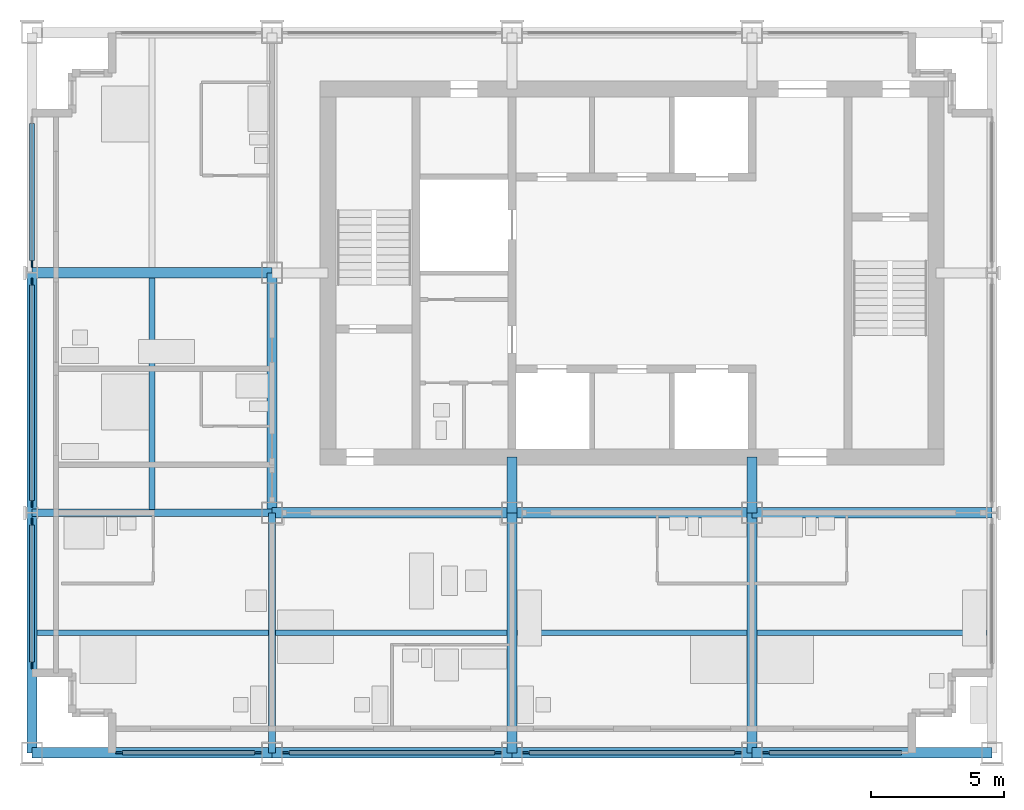
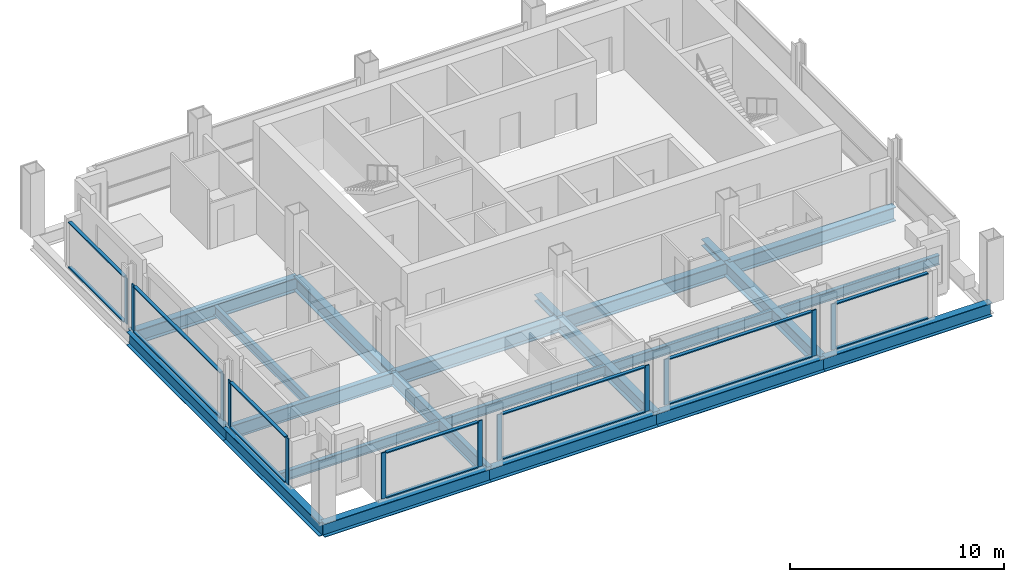
# One storey, part 2 of 11: 28 members, 20 beams, 7 elements without a shape of their own.
"""IFC4 building model written with IfcOpenShell, lengths in metres."""

from ifc_helpers import new_model, si_unit, direction, frame, origin, origin_2d, place, context, subcontext, project, spatial, rectangle, i_section, extrude, material, material_profile, profile_set, type_object, element, aggregate, save


model = new_model("IFC4")

# Units and contexts
model_context = context("Model", 3, precision=1e-05, world=origin(), true_north=direction((0.0, 1.0)))
body_context = subcontext(model_context, "Body", "Model", "MODEL_VIEW")
ifc_project = project(units=[si_unit("LENGTHUNIT", "METRE"), si_unit("AREAUNIT", "SQUARE_METRE"), si_unit("VOLUMEUNIT", "CUBIC_METRE"), si_unit("PLANEANGLEUNIT", "RADIAN"), si_unit("MASSUNIT", "GRAM", prefix="KILO")], contexts=[model_context])

# Site, building, storey
site_placement = place(None, origin())
site = spatial("IfcSite", under=ifc_project, at=site_placement, CompositionType="ELEMENT")
building_placement = place(site_placement, origin())
building = spatial("IfcBuilding", under=site, at=building_placement, Name="Loomwork Tower", CompositionType="ELEMENT")
storey_placement = place(building_placement, frame((0.0, 0.0, 244.60009765625)))
storey = spatial("IfcBuildingStorey", under=building, at=storey_placement, Name="L67", CompositionType="ELEMENT", Elevation=244.60009765625)

# Beams
ifc_material_1 = material(Name="Steel ASTM A992", Category="steel")
ifc_material_profile_1 = material_profile(ifc_material_1, i_section(OverallWidth=0.383544921875, OverallDepth=0.794921875, WebThickness=0.02099609375, FlangeThickness=0.0380859375, at=origin_2d()), Name="W30x235")
ifc_profile_set_1 = profile_set([ifc_material_profile_1], Name="Steel ASTM A992")
beam_type_1 = type_object("IfcBeamType", Name="CORE FLANK GIRDER W30x235", PredefinedType="BEAM", material=ifc_profile_set_1)
for number, where, z_axis, x_axis, name in (
    (1, (9.0, 9.0, -0.59765625), (1.0, 0.0, 0.0), (0.0, 1.0, 0.0), "Core Flank Girder E/3-E/4 L67"),
    (2, (18.0, 9.0, -0.59765625), (1.0, 0.0, 0.0), (0.0, 1.0, 0.0), "Core Flank Girder E/4-E/5 L67"),
    (3, (27.0, 9.0, -0.59765625), (1.0, 0.0, 0.0), (0.0, 1.0, 0.0), "Core Flank Girder E/5-E/6 L67"),
    (4, (0.0, 18.0, -0.59765625), (1.0, 0.0, 0.0), (0.0, 1.0, 0.0), "Core Flank Girder F/2-F/3 L67"),
    (5, (9.0, 9.0, -0.59765625), (0.0, 1.0, 0.0), (-1.0, 0.0, 0.0), "Core Flank Girder E/3-F/3 L67"),
    (6, (18.0, 0.0, -0.59765625), (0.0, 1.0, 0.0), (-1.0, 0.0, 0.0), "Core Flank Girder D/4-E/4 L67"),
    (7, (27.0, 0.0, -0.59765625), (0.0, 1.0, 0.0), (-1.0, 0.0, 0.0), "Core Flank Girder D/5-E/5 L67"),
):
    element("IfcBeam", number, at=place(storey_placement, frame(where, z_axis=z_axis, x_axis=x_axis)), inside=storey, type_object=beam_type_1, Name=name, PredefinedType="BEAM", context=body_context, shape_type="SweptSolid", body=[
        extrude(i_section(OverallWidth=0.383544921875, OverallDepth=0.794921875, WebThickness=0.02099609375, FlangeThickness=0.0380859375, at=origin_2d()), origin(), (0.0, 0.0, 1.0), 9.0),
    ])

# Members
ifc_material_2 = material(Name="Steel ASTM A992", Category="steel")
ifc_material_profile_2 = material_profile(ifc_material_2, i_section(OverallWidth=0.373291015625, OverallDepth=0.373291015625, WebThickness=0.016357421875, FlangeThickness=0.026123046875, at=origin_2d()), Name="W14x132")
ifc_profile_set_2 = profile_set([ifc_material_profile_2], Name="Steel ASTM A992")
member_type_1 = type_object("IfcMemberType", Name="CORE LINK STRUT W14x132", PredefinedType="STRUT", material=ifc_profile_set_2)
for number, where, z_axis, x_axis, name in (
    (8, (18.0, 9.0, -0.38671875), (0.0, 1.0, 0.0), (-1.0, 0.0, 0.0), "Core link strut E/4-18.000,11.100 L67"),
    (9, (27.0, 9.0, -0.38671875), (0.0, 1.0, 0.0), (-1.0, 0.0, 0.0), "Core link strut E/5-27.000,11.100 L67"),
):
    element("IfcMember", number, at=place(storey_placement, frame(where, z_axis=z_axis, x_axis=x_axis)), inside=storey, type_object=member_type_1, Name=name, PredefinedType="STRUT", context=body_context, shape_type="SweptSolid", body=[
        extrude(i_section(OverallWidth=0.373291015625, OverallDepth=0.373291015625, WebThickness=0.016357421875, FlangeThickness=0.026123046875, at=origin_2d()), origin(), (0.0, 0.0, 1.0), 2.10009765625),
    ])

# Beams
ifc_material_3 = material(Name="Steel ASTM A992", Category="steel")
ifc_material_profile_3 = material_profile(ifc_material_3, i_section(OverallWidth=0.2666015625, OverallDepth=0.761962890625, WebThickness=0.014404296875, FlangeThickness=0.021484375, at=origin_2d()), Name="W30x116")
ifc_profile_set_3 = profile_set([ifc_material_profile_3], Name="Steel ASTM A992")
beam_type_2 = type_object("IfcBeamType", Name="FLOOR GIRDER W30x116", PredefinedType="BEAM", material=ifc_profile_set_3)
for number, where, z_axis, x_axis, name in (
    (10, (0.0, 9.0, -0.5810546875), (1.0, 0.0, 0.0), (0.0, 1.0, 0.0), "Floor Girder E/2-E/3 L67"),
    (11, (9.0, 0.0, -0.5810546875), (0.0, 1.0, 0.0), (-1.0, 0.0, 0.0), "Floor Girder D/3-E/3 L67"),
):
    element("IfcBeam", number, at=place(storey_placement, frame(where, z_axis=z_axis, x_axis=x_axis)), inside=storey, type_object=beam_type_2, Name=name, PredefinedType="BEAM", context=body_context, shape_type="SweptSolid", body=[
        extrude(i_section(OverallWidth=0.2666015625, OverallDepth=0.761962890625, WebThickness=0.014404296875, FlangeThickness=0.021484375, at=origin_2d()), origin(), (0.0, 0.0, 1.0), 9.0),
    ])
ifc_material_4 = material(Name="Steel ASTM A992", Category="steel")
ifc_material_profile_4 = material_profile(ifc_material_4, i_section(OverallWidth=0.2109375, OverallDepth=0.53857421875, WebThickness=0.011474609375, FlangeThickness=0.018798828125, at=origin_2d()), Name="W21x73")
ifc_profile_set_4 = profile_set([ifc_material_profile_4], Name="Steel ASTM A992")
beam_type_3 = type_object("IfcBeamType", Name="FLOOR JOIST W21x73", PredefinedType="JOIST", material=ifc_profile_set_4)
beam_1_placement = place(storey_placement, frame((0.18994140625, 4.5, -0.46923828125), z_axis=(1.0, 0.0, 0.0), x_axis=(0.0, 1.0, 0.0)))
element("IfcBeam", 12, at=beam_1_placement, inside=storey, type_object=beam_type_3, Name="Floor Joist 0.000,4.500-9.000,4.500 L67", PredefinedType="JOIST", context=body_context, shape_type="SweptSolid", body=[
    extrude(i_section(OverallWidth=0.2109375, OverallDepth=0.53857421875, WebThickness=0.011474609375, FlangeThickness=0.018798828125, at=origin_2d()), origin(), (0.0, 0.0, 1.0), 8.677001953125),
])
for number, where, z_axis, x_axis, name in (
    (13, (4.5, 9.133056640625, -0.46923828125), (0.0, 1.0, 0.0), (-1.0, 0.0, 0.0), "Floor Joist 4.500,9.000-4.500,18.000 L67"),
    (14, (9.133056640625, 4.5, -0.46923828125), (1.0, 0.0, 0.0), (0.0, 1.0, 0.0), "Floor Joist 9.000,4.500-18.000,4.500 L67"),
):
    element("IfcBeam", number, at=place(storey_placement, frame(where, z_axis=z_axis, x_axis=x_axis)), inside=storey, type_object=beam_type_3, Name=name, PredefinedType="JOIST", context=body_context, shape_type="SweptSolid", body=[
        extrude(i_section(OverallWidth=0.2109375, OverallDepth=0.53857421875, WebThickness=0.011474609375, FlangeThickness=0.018798828125, at=origin_2d()), origin(), (0.0, 0.0, 1.0), 8.676025390625),
    ])
beam_2_placement = place(storey_placement, frame((18.19091796875, 4.5, -0.46923828125), z_axis=(1.0, 0.0, 0.0), x_axis=(0.0, 1.0, 0.0)))
element("IfcBeam", 15, at=beam_2_placement, inside=storey, type_object=beam_type_3, Name="Floor Joist 18.000,4.500-27.000,4.500 L67", PredefinedType="JOIST", context=body_context, shape_type="SweptSolid", body=[
    extrude(i_section(OverallWidth=0.2109375, OverallDepth=0.53857421875, WebThickness=0.011474609375, FlangeThickness=0.018798828125, at=origin_2d()), origin(), (0.0, 0.0, 1.0), 8.6181640625),
])
beam_3_placement = place(storey_placement, frame((27.19091796875, 4.5, -0.46923828125), z_axis=(1.0, 0.0, 0.0), x_axis=(0.0, 1.0, 0.0)))
element("IfcBeam", 16, at=beam_3_placement, inside=storey, type_object=beam_type_3, Name="Floor Joist 27.000,4.500-36.000,4.500 L67", PredefinedType="JOIST", context=body_context, shape_type="SweptSolid", body=[
    extrude(i_section(OverallWidth=0.2109375, OverallDepth=0.53857421875, WebThickness=0.011474609375, FlangeThickness=0.018798828125, at=origin_2d()), origin(), (0.0, 0.0, 1.0), 8.619140625),
])

# Curtain wall, members
ifc_material_5 = material(Name="Aluminium curtain wall frame", Category="aluminium")
curtain_wall_type = type_object("IfcCurtainWallType", Name="Outer skin glazing suites", PredefinedType="NOTDEFINED", material=ifc_material_5)
curtain_wall_1_placement = place(storey_placement, origin())
curtain_wall_1 = element("IfcCurtainWall", 17, at=curtain_wall_1_placement, inside=storey, type_object=curtain_wall_type, Name="Outer skin glazing suites cw/S-0", PredefinedType="NOTDEFINED")
ifc_material_6 = material(Name="Aluminium curtain wall frame", Category="aluminium")
ifc_material_profile_5 = material_profile(ifc_material_6, rectangle(XDim=0.06494140625, YDim=0.25, at=origin_2d()), Name="AL 65x250")
ifc_profile_set_5 = profile_set([ifc_material_profile_5], Name="Aluminium curtain wall frame")
member_type_2 = type_object("IfcMemberType", Name="Outer skin glazing suites mullion", PredefinedType="MULLION", material=ifc_profile_set_5)
member_1_placement = place(storey_placement, frame((3.27490234375, 0.0, 0.0), z_axis=(0.0, 0.0, 1.0), x_axis=(0.0, 1.0, 0.0)))
member_1 = element("IfcMember", 18, at=member_1_placement, type_object=member_type_2, Name="CW2 mullion 1", PredefinedType="MULLION", context=body_context, shape_type="SweptSolid", body=[
    extrude(rectangle(XDim=0.06494140625, YDim=0.25, at=origin_2d()), origin(), (0.0, 0.0, 1.0), 2.6201171875),
])
member_2_placement = place(storey_placement, frame((8.47509765625, 0.0, 0.0), z_axis=(0.0, 0.0, 1.0), x_axis=(0.0, 1.0, 0.0)))
member_2 = element("IfcMember", 19, at=member_2_placement, type_object=member_type_2, Name="CW2 mullion 2", PredefinedType="MULLION", context=body_context, shape_type="SweptSolid", body=[
    extrude(rectangle(XDim=0.06494140625, YDim=0.25, at=origin_2d()), origin(), (0.0, 0.0, 1.0), 2.6201171875),
])

curtain_wall_2_placement = place(storey_placement, origin())
curtain_wall_2 = element("IfcCurtainWall", 20, at=curtain_wall_2_placement, inside=storey, type_object=curtain_wall_type, Name="Outer skin glazing suites cw/S-9", PredefinedType="NOTDEFINED")
member_3_placement = place(storey_placement, frame((9.52490234375, 0.0, 0.0), z_axis=(0.0, 0.0, 1.0), x_axis=(0.0, 1.0, 0.0)))
member_3 = element("IfcMember", 21, at=member_3_placement, type_object=member_type_2, Name="CW2 mullion 1", PredefinedType="MULLION", context=body_context, shape_type="SweptSolid", body=[
    extrude(rectangle(XDim=0.06494140625, YDim=0.25, at=origin_2d()), origin(), (0.0, 0.0, 1.0), 2.6201171875),
])
member_4_placement = place(storey_placement, frame((17.47509765625, 0.0, 0.0), z_axis=(0.0, 0.0, 1.0), x_axis=(0.0, 1.0, 0.0)))
member_4 = element("IfcMember", 22, at=member_4_placement, type_object=member_type_2, Name="CW2 mullion 2", PredefinedType="MULLION", context=body_context, shape_type="SweptSolid", body=[
    extrude(rectangle(XDim=0.06494140625, YDim=0.25, at=origin_2d()), origin(), (0.0, 0.0, 1.0), 2.6201171875),
])

curtain_wall_3_placement = place(storey_placement, origin())
curtain_wall_3 = element("IfcCurtainWall", 23, at=curtain_wall_3_placement, inside=storey, type_object=curtain_wall_type, Name="Outer skin glazing suites cw/S-18", PredefinedType="NOTDEFINED")
member_5_placement = place(storey_placement, frame((18.52490234375, 0.0, 0.0), z_axis=(0.0, 0.0, 1.0), x_axis=(0.0, 1.0, 0.0)))
member_5 = element("IfcMember", 24, at=member_5_placement, type_object=member_type_2, Name="CW2 mullion 1", PredefinedType="MULLION", context=body_context, shape_type="SweptSolid", body=[
    extrude(rectangle(XDim=0.06494140625, YDim=0.25, at=origin_2d()), origin(), (0.0, 0.0, 1.0), 2.6201171875),
])
member_6_placement = place(storey_placement, frame((26.47509765625, 0.0, 0.0), z_axis=(0.0, 0.0, 1.0), x_axis=(0.0, 1.0, 0.0)))
member_6 = element("IfcMember", 25, at=member_6_placement, type_object=member_type_2, Name="CW2 mullion 2", PredefinedType="MULLION", context=body_context, shape_type="SweptSolid", body=[
    extrude(rectangle(XDim=0.06494140625, YDim=0.25, at=origin_2d()), origin(), (0.0, 0.0, 1.0), 2.6201171875),
])

# Curtain wall, member
curtain_wall_4_placement = place(storey_placement, origin())
curtain_wall_4 = element("IfcCurtainWall", 26, at=curtain_wall_4_placement, inside=storey, type_object=curtain_wall_type, Name="Outer skin glazing suites cw/S-27", PredefinedType="NOTDEFINED")
member_7_placement = place(storey_placement, frame((27.52490234375, 0.0, 0.0), z_axis=(0.0, 0.0, 1.0), x_axis=(0.0, 1.0, 0.0)))
member_7 = element("IfcMember", 27, at=member_7_placement, type_object=member_type_2, Name="CW2 mullion 1", PredefinedType="MULLION", context=body_context, shape_type="SweptSolid", body=[
    extrude(rectangle(XDim=0.06494140625, YDim=0.25, at=origin_2d()), origin(), (0.0, 0.0, 1.0), 2.6201171875),
])

# Curtain wall, members
curtain_wall_5_placement = place(storey_placement, origin())
curtain_wall_5 = element("IfcCurtainWall", 28, at=curtain_wall_5_placement, inside=storey, type_object=curtain_wall_type, Name="Outer skin glazing suites cw/W-0", PredefinedType="NOTDEFINED")
member_8_placement = place(storey_placement, frame((0.0, 8.664306640625, 0.0), z_axis=(0.0, 0.0, 1.0), x_axis=(1.0, 0.0, 0.0)))
member_8 = element("IfcMember", 29, at=member_8_placement, type_object=member_type_2, Name="CW2 mullion 1", PredefinedType="MULLION", context=body_context, shape_type="SweptSolid", body=[
    extrude(rectangle(XDim=0.06494140625, YDim=0.25, at=origin_2d()), origin(), (0.0, 0.0, 1.0), 2.6201171875),
])
member_9_placement = place(storey_placement, frame((0.0, 3.27490234375, 0.0), z_axis=(0.0, 0.0, 1.0), x_axis=(1.0, 0.0, 0.0)))
member_9 = element("IfcMember", 30, at=member_9_placement, type_object=member_type_2, Name="CW2 mullion 2", PredefinedType="MULLION", context=body_context, shape_type="SweptSolid", body=[
    extrude(rectangle(XDim=0.06494140625, YDim=0.25, at=origin_2d()), origin(), (0.0, 0.0, 1.0), 2.6201171875),
])

curtain_wall_6_placement = place(storey_placement, origin())
curtain_wall_6 = element("IfcCurtainWall", 31, at=curtain_wall_6_placement, inside=storey, type_object=curtain_wall_type, Name="Outer skin glazing suites cw/W-9", PredefinedType="NOTDEFINED")
member_10_placement = place(storey_placement, frame((0.0, 17.664306640625, 0.0), z_axis=(0.0, 0.0, 1.0), x_axis=(1.0, 0.0, 0.0)))
member_10 = element("IfcMember", 32, at=member_10_placement, type_object=member_type_2, Name="CW2 mullion 1", PredefinedType="MULLION", context=body_context, shape_type="SweptSolid", body=[
    extrude(rectangle(XDim=0.06494140625, YDim=0.25, at=origin_2d()), origin(), (0.0, 0.0, 1.0), 2.6201171875),
])
member_11_placement = place(storey_placement, frame((0.0, 9.335693359375, 0.0), z_axis=(0.0, 0.0, 1.0), x_axis=(1.0, 0.0, 0.0)))
member_11 = element("IfcMember", 33, at=member_11_placement, type_object=member_type_2, Name="CW2 mullion 2", PredefinedType="MULLION", context=body_context, shape_type="SweptSolid", body=[
    extrude(rectangle(XDim=0.06494140625, YDim=0.25, at=origin_2d()), origin(), (0.0, 0.0, 1.0), 2.6201171875),
])

# Curtain wall, member
curtain_wall_7_placement = place(storey_placement, origin())
curtain_wall_7 = element("IfcCurtainWall", 34, at=curtain_wall_7_placement, inside=storey, type_object=curtain_wall_type, Name="Outer skin glazing suites cw/W-18", PredefinedType="NOTDEFINED")
member_12_placement = place(storey_placement, frame((0.0, 18.335693359375, 0.0), z_axis=(0.0, 0.0, 1.0), x_axis=(1.0, 0.0, 0.0)))
member_12 = element("IfcMember", 35, at=member_12_placement, type_object=member_type_2, Name="CW2 mullion 2", PredefinedType="MULLION", context=body_context, shape_type="SweptSolid", body=[
    extrude(rectangle(XDim=0.06494140625, YDim=0.25, at=origin_2d()), origin(), (0.0, 0.0, 1.0), 2.6201171875),
])

# Member
ifc_material_7 = material(Name="Aluminium curtain wall frame", Category="aluminium")
ifc_material_profile_6 = material_profile(ifc_material_7, rectangle(XDim=0.179931640625, YDim=0.06494140625, at=origin_2d()), Name="AL 65x180")
ifc_profile_set_6 = profile_set([ifc_material_profile_6], Name="Aluminium curtain wall frame")
member_type_3 = type_object("IfcMemberType", Name="Outer skin glazing suites transom", PredefinedType="USERDEFINED", material=ifc_profile_set_6)
member_13_placement = place(storey_placement, frame((3.39990234375, 0.0, 0.032470703125), z_axis=(1.0, 0.0, 0.0), x_axis=(0.0, 1.0, 0.0)))
member_13 = element("IfcMember", 36, at=member_13_placement, type_object=member_type_3, Name="CW2 transom 1.1", ObjectType="TRANSOM", PredefinedType="USERDEFINED", context=body_context, shape_type="SweptSolid", body=[
    extrude(rectangle(XDim=0.179931640625, YDim=0.06494140625, at=origin_2d()), origin(), (0.0, 0.0, 1.0), 4.9501953125),
])

member_14_placement = place(storey_placement, frame((3.39990234375, 0.0, 2.587646484375), z_axis=(1.0, 0.0, 0.0), x_axis=(0.0, 1.0, 0.0)))
member_14 = element("IfcMember", 37, at=member_14_placement, type_object=member_type_3, Name="CW2 transom 1.2", ObjectType="TRANSOM", PredefinedType="USERDEFINED", context=body_context, shape_type="SweptSolid", body=[
    extrude(rectangle(XDim=0.179931640625, YDim=0.06494140625, at=origin_2d()), origin(), (0.0, 0.0, 1.0), 4.9501953125),
])

aggregate(curtain_wall_1, [member_1, member_2, member_13, member_14])

member_15_placement = place(storey_placement, frame((9.64990234375, 0.0, 0.032470703125), z_axis=(1.0, 0.0, 0.0), x_axis=(0.0, 1.0, 0.0)))
member_15 = element("IfcMember", 38, at=member_15_placement, type_object=member_type_3, Name="CW2 transom 1.1", ObjectType="TRANSOM", PredefinedType="USERDEFINED", context=body_context, shape_type="SweptSolid", body=[
    extrude(rectangle(XDim=0.179931640625, YDim=0.06494140625, at=origin_2d()), origin(), (0.0, 0.0, 1.0), 7.7001953125),
])

member_16_placement = place(storey_placement, frame((9.64990234375, 0.0, 2.587646484375), z_axis=(1.0, 0.0, 0.0), x_axis=(0.0, 1.0, 0.0)))
member_16 = element("IfcMember", 39, at=member_16_placement, type_object=member_type_3, Name="CW2 transom 1.2", ObjectType="TRANSOM", PredefinedType="USERDEFINED", context=body_context, shape_type="SweptSolid", body=[
    extrude(rectangle(XDim=0.179931640625, YDim=0.06494140625, at=origin_2d()), origin(), (0.0, 0.0, 1.0), 7.7001953125),
])

aggregate(curtain_wall_2, [member_3, member_4, member_15, member_16])

member_17_placement = place(storey_placement, frame((18.64990234375, 0.0, 0.032470703125), z_axis=(1.0, 0.0, 0.0), x_axis=(0.0, 1.0, 0.0)))
member_17 = element("IfcMember", 40, at=member_17_placement, type_object=member_type_3, Name="CW2 transom 1.1", ObjectType="TRANSOM", PredefinedType="USERDEFINED", context=body_context, shape_type="SweptSolid", body=[
    extrude(rectangle(XDim=0.179931640625, YDim=0.06494140625, at=origin_2d()), origin(), (0.0, 0.0, 1.0), 7.7001953125),
])

member_18_placement = place(storey_placement, frame((18.64990234375, 0.0, 2.587646484375), z_axis=(1.0, 0.0, 0.0), x_axis=(0.0, 1.0, 0.0)))
member_18 = element("IfcMember", 41, at=member_18_placement, type_object=member_type_3, Name="CW2 transom 1.2", ObjectType="TRANSOM", PredefinedType="USERDEFINED", context=body_context, shape_type="SweptSolid", body=[
    extrude(rectangle(XDim=0.179931640625, YDim=0.06494140625, at=origin_2d()), origin(), (0.0, 0.0, 1.0), 7.7001953125),
])

aggregate(curtain_wall_3, [member_5, member_6, member_17, member_18])

member_19_placement = place(storey_placement, frame((27.64990234375, 0.0, 0.032470703125), z_axis=(1.0, 0.0, 0.0), x_axis=(0.0, 1.0, 0.0)))
member_19 = element("IfcMember", 42, at=member_19_placement, type_object=member_type_3, Name="CW2 transom 1.1", ObjectType="TRANSOM", PredefinedType="USERDEFINED", context=body_context, shape_type="SweptSolid", body=[
    extrude(rectangle(XDim=0.179931640625, YDim=0.06494140625, at=origin_2d()), origin(), (0.0, 0.0, 1.0), 4.9501953125),
])

member_20_placement = place(storey_placement, frame((27.64990234375, 0.0, 2.587646484375), z_axis=(1.0, 0.0, 0.0), x_axis=(0.0, 1.0, 0.0)))
member_20 = element("IfcMember", 43, at=member_20_placement, type_object=member_type_3, Name="CW2 transom 1.2", ObjectType="TRANSOM", PredefinedType="USERDEFINED", context=body_context, shape_type="SweptSolid", body=[
    extrude(rectangle(XDim=0.179931640625, YDim=0.06494140625, at=origin_2d()), origin(), (0.0, 0.0, 1.0), 4.9501953125),
])

aggregate(curtain_wall_4, [member_7, member_19, member_20])

member_21_placement = place(storey_placement, frame((0.0, 8.539306640625, 0.032470703125), z_axis=(0.0, -1.0, 0.0), x_axis=(1.0, 0.0, 0.0)))
member_21 = element("IfcMember", 44, at=member_21_placement, type_object=member_type_3, Name="CW2 transom 1.1", ObjectType="TRANSOM", PredefinedType="USERDEFINED", context=body_context, shape_type="SweptSolid", body=[
    extrude(rectangle(XDim=0.179931640625, YDim=0.06494140625, at=origin_2d()), origin(), (0.0, 0.0, 1.0), 5.139404296875),
])

member_22_placement = place(storey_placement, frame((0.0, 8.539306640625, 2.587646484375), z_axis=(0.0, -1.0, 0.0), x_axis=(1.0, 0.0, 0.0)))
member_22 = element("IfcMember", 45, at=member_22_placement, type_object=member_type_3, Name="CW2 transom 1.2", ObjectType="TRANSOM", PredefinedType="USERDEFINED", context=body_context, shape_type="SweptSolid", body=[
    extrude(rectangle(XDim=0.179931640625, YDim=0.06494140625, at=origin_2d()), origin(), (0.0, 0.0, 1.0), 5.139404296875),
])

aggregate(curtain_wall_5, [member_8, member_9, member_21, member_22])

member_23_placement = place(storey_placement, frame((0.0, 17.539306640625, 0.032470703125), z_axis=(0.0, -1.0, 0.0), x_axis=(1.0, 0.0, 0.0)))
member_23 = element("IfcMember", 46, at=member_23_placement, type_object=member_type_3, Name="CW2 transom 1.1", ObjectType="TRANSOM", PredefinedType="USERDEFINED", context=body_context, shape_type="SweptSolid", body=[
    extrude(rectangle(XDim=0.179931640625, YDim=0.06494140625, at=origin_2d()), origin(), (0.0, 0.0, 1.0), 8.07861328125),
])

member_24_placement = place(storey_placement, frame((0.0, 17.539306640625, 2.587646484375), z_axis=(0.0, -1.0, 0.0), x_axis=(1.0, 0.0, 0.0)))
member_24 = element("IfcMember", 47, at=member_24_placement, type_object=member_type_3, Name="CW2 transom 1.2", ObjectType="TRANSOM", PredefinedType="USERDEFINED", context=body_context, shape_type="SweptSolid", body=[
    extrude(rectangle(XDim=0.179931640625, YDim=0.06494140625, at=origin_2d()), origin(), (0.0, 0.0, 1.0), 8.07861328125),
])

aggregate(curtain_wall_6, [member_10, member_11, member_23, member_24])

member_25_placement = place(storey_placement, frame((0.0, 23.60009765625, 0.032470703125), z_axis=(0.0, -1.0, 0.0), x_axis=(1.0, 0.0, 0.0)))
member_25 = element("IfcMember", 48, at=member_25_placement, type_object=member_type_3, Name="CW2 transom 1.1", ObjectType="TRANSOM", PredefinedType="USERDEFINED", context=body_context, shape_type="SweptSolid", body=[
    extrude(rectangle(XDim=0.179931640625, YDim=0.06494140625, at=origin_2d()), origin(), (0.0, 0.0, 1.0), 5.139404296875),
])

member_26_placement = place(storey_placement, frame((0.0, 23.60009765625, 2.587646484375), z_axis=(0.0, -1.0, 0.0), x_axis=(1.0, 0.0, 0.0)))
member_26 = element("IfcMember", 49, at=member_26_placement, type_object=member_type_3, Name="CW2 transom 1.2", ObjectType="TRANSOM", PredefinedType="USERDEFINED", context=body_context, shape_type="SweptSolid", body=[
    extrude(rectangle(XDim=0.179931640625, YDim=0.06494140625, at=origin_2d()), origin(), (0.0, 0.0, 1.0), 5.139404296875),
])

aggregate(curtain_wall_7, [member_12, member_25, member_26])

# Beams
ifc_material_8 = material(Name="Steel ASTM A992", Category="steel")
ifc_material_profile_7 = material_profile(ifc_material_8, i_section(OverallWidth=0.381103515625, OverallDepth=0.77978515625, WebThickness=0.01806640625, FlangeThickness=0.0302734375, at=origin_2d()), Name="W30x191")
ifc_profile_set_7 = profile_set([ifc_material_profile_7], Name="Steel ASTM A992")
beam_type_4 = type_object("IfcBeamType", Name="SPANDREL GIRDER W30x191", PredefinedType="SPANDREL", material=ifc_profile_set_7)
for number, where, z_axis, x_axis, name in (
    (50, (0.0, 0.0, -0.590087890625), (1.0, 0.0, 0.0), (0.0, 1.0, 0.0), "Spandrel Girder D/2-D/3 L67"),
    (51, (9.0, 0.0, -0.590087890625), (1.0, 0.0, 0.0), (0.0, 1.0, 0.0), "Spandrel Girder D/3-D/4 L67"),
    (52, (18.0, 0.0, -0.590087890625), (1.0, 0.0, 0.0), (0.0, 1.0, 0.0), "Spandrel Girder D/4-D/5 L67"),
    (53, (27.0, 0.0, -0.590087890625), (1.0, 0.0, 0.0), (0.0, 1.0, 0.0), "Spandrel Girder D/5-D/6 L67"),
    (54, (0.0, 0.0, -0.590087890625), (0.0, 1.0, 0.0), (-1.0, 0.0, 0.0), "Spandrel Girder D/2-E/2 L67"),
    (55, (0.0, 9.0, -0.590087890625), (0.0, 1.0, 0.0), (-1.0, 0.0, 0.0), "Spandrel Girder E/2-F/2 L67"),
):
    element("IfcBeam", number, at=place(storey_placement, frame(where, z_axis=z_axis, x_axis=x_axis)), inside=storey, type_object=beam_type_4, Name=name, PredefinedType="SPANDREL", context=body_context, shape_type="SweptSolid", body=[
        extrude(i_section(OverallWidth=0.381103515625, OverallDepth=0.77978515625, WebThickness=0.01806640625, FlangeThickness=0.0302734375, at=origin_2d()), origin(), (0.0, 0.0, 1.0), 9.0),
    ])

save(model, "model.ifc")
